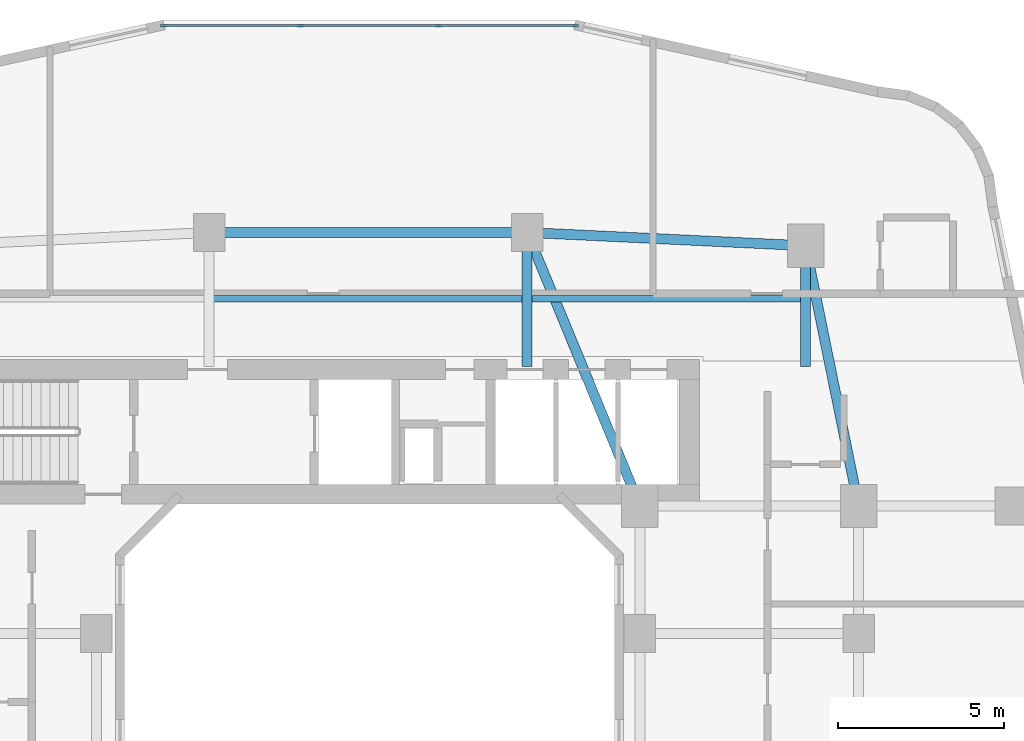
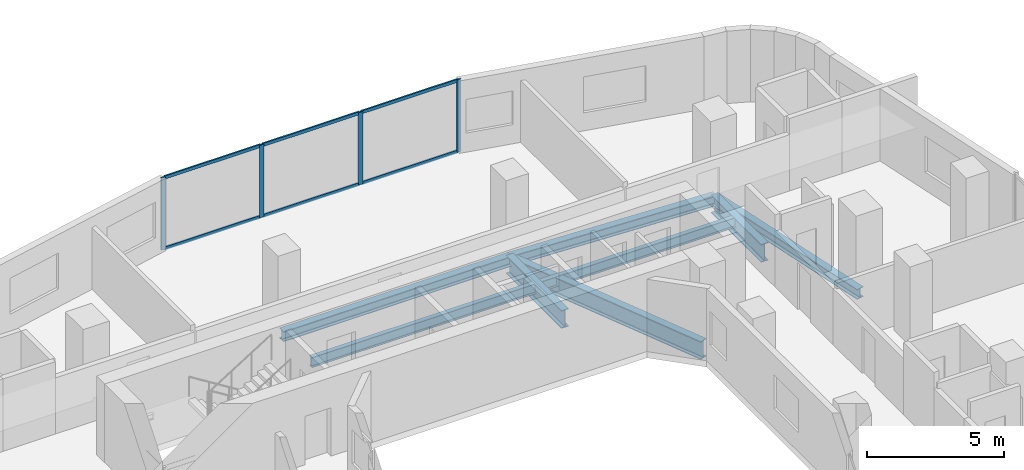
# One storey, part 7 of 26: 10 members, 8 beams, 1 element without a shape of its own.
"""IFC4 building model written with IfcOpenShell, lengths in metres."""

from ifc_helpers import new_model, si_unit, derived_unit, direction, frame, origin, origin_2d, place, context, subcontext, project, spatial, rectangle, i_section, extrude, material, layer, layer_set, material_profile, profile_set, type_object, element, aggregate, save


model = new_model("IFC4")

# Units and contexts
model_context = context("Model", 3, precision=1e-05, world=origin(), true_north=direction((0.0, 1.0)))
body_context = subcontext(model_context, "Body", "Model", "MODEL_VIEW")
ifc_project = project(units=[si_unit("LENGTHUNIT", "METRE"), si_unit("AREAUNIT", "SQUARE_METRE"), si_unit("VOLUMEUNIT", "CUBIC_METRE"), si_unit("PLANEANGLEUNIT", "RADIAN"), si_unit("MASSUNIT", "GRAM", prefix="KILO"), derived_unit("THERMALTRANSMITTANCEUNIT", [(si_unit("POWERUNIT", "WATT"), 1), (si_unit("LENGTHUNIT", "METRE"), -2), (si_unit("THERMODYNAMICTEMPERATUREUNIT", "KELVIN"), -1)])], contexts=[model_context])

# Site, building, storey
site_placement = place(None, origin())
site = spatial("IfcSite", under=ifc_project, at=site_placement, CompositionType="ELEMENT")
building_placement = place(site_placement, origin())
building = spatial("IfcBuilding", under=site, at=building_placement, Name="Kivonza Crest Hotel", CompositionType="ELEMENT")
storey_placement = place(building_placement, frame((0.0, 0.0, 55.5)))
storey = spatial("IfcBuildingStorey", under=building, at=storey_placement, Name="L14", CompositionType="ELEMENT", Elevation=55.5)

# Beams
ifc_material_1 = material(Name="Steel S355", Category="steel")
ifc_material_profile_1 = material_profile(ifc_material_1, i_section(OverallWidth=0.300048828125, OverallDepth=0.449951171875, WebThickness=0.013916015625, FlangeThickness=0.02587890625, FilletRadius=0.027099609375, at=origin_2d()), Name="HEB 450")
ifc_profile_set_1 = profile_set([ifc_material_profile_1], Name="Steel S355")
beam_type_1 = type_object("IfcBeamType", Name="BM-HEB450", PredefinedType="SPANDREL", material=ifc_profile_set_1)
beam_1_placement = place(storey_placement, frame((35.800048828125, 32.35009765625, -0.5048828125), z_axis=(-0.199730733965, 0.979850822273, 0.0), x_axis=(-0.979850822273, -0.199730733965, 0.0)))
element("IfcBeam", 1, at=beam_1_placement, inside=storey, type_object=beam_type_1, Name="Tower T1 L14 perimeter spandrel PNE-NE", PredefinedType="SPANDREL", context=body_context, shape_type="SweptSolid", body=[
    extrude(i_section(OverallWidth=0.300048828125, OverallDepth=0.449951171875, WebThickness=0.013916015625, FlangeThickness=0.02587890625, FilletRadius=0.027099609375, at=origin_2d()), origin(), (0.0, 0.0, 1.0), 8.01123046875),
])
beam_2_placement = place(storey_placement, frame((34.199951171875, 40.199951171875, -0.5048828125), z_axis=(-0.998867283688, 0.047583080799, 0.0), x_axis=(-0.047583080799, -0.998867283688, 0.0)))
element("IfcBeam", 2, at=beam_2_placement, inside=storey, type_object=beam_type_1, Name="Tower T1 L14 perimeter spandrel NE-N2", PredefinedType="SPANDREL", context=body_context, shape_type="SweptSolid", body=[
    extrude(i_section(OverallWidth=0.300048828125, OverallDepth=0.449951171875, WebThickness=0.013916015625, FlangeThickness=0.02587890625, FilletRadius=0.027099609375, at=origin_2d()), origin(), (0.0, 0.0, 1.0), 8.409423828125),
])
beam_3_placement = place(storey_placement, frame((25.800048828125, 40.60009765625, -0.5048828125), z_axis=(-1.0, 0.0, 0.0), x_axis=(0.0, -1.0, 0.0)))
element("IfcBeam", 3, at=beam_3_placement, inside=storey, type_object=beam_type_1, Name="Tower T1 L14 perimeter spandrel N2-N1", PredefinedType="SPANDREL", context=body_context, shape_type="SweptSolid", body=[
    extrude(i_section(OverallWidth=0.300048828125, OverallDepth=0.449951171875, WebThickness=0.013916015625, FlangeThickness=0.02587890625, FilletRadius=0.027099609375, at=origin_2d()), origin(), (0.0, 0.0, 1.0), 9.60009765625),
])
ifc_material_profile_2 = material_profile(ifc_material_1, i_section(OverallWidth=0.300048828125, OverallDepth=0.800048828125, WebThickness=0.017578125, FlangeThickness=0.032958984375, FilletRadius=0.030029296875, at=origin_2d()), Name="HEB 800")
ifc_profile_set_2 = profile_set([ifc_material_profile_2], Name="Steel S355")
beam_type_2 = type_object("IfcBeamType", Name="BM-HEB800", PredefinedType="BEAM", material=ifc_profile_set_2)
beam_4_placement = place(storey_placement, frame((25.800048828125, 40.60009765625, -0.679931640625), z_axis=(0.381022260404, -0.924565864109, 0.0), x_axis=(0.924565864109, 0.381022260404, 0.0)))
element("IfcBeam", 4, at=beam_4_placement, inside=storey, type_object=beam_type_2, Name="Tower T1 L14 primary girder N1-TNE", PredefinedType="BEAM", context=body_context, shape_type="SweptSolid", body=[
    extrude(i_section(OverallWidth=0.300048828125, OverallDepth=0.800048828125, WebThickness=0.017578125, FlangeThickness=0.032958984375, FilletRadius=0.030029296875, at=origin_2d()), origin(), (0.0, 0.0, 1.0), 8.923095703125),
])
beam_5_placement = place(storey_placement, frame((25.800048828125, 40.60009765625, -0.679931640625), z_axis=(0.0, -1.0, 0.0), x_axis=(1.0, 0.0, 0.0)))
element("IfcBeam", 5, at=beam_5_placement, inside=storey, type_object=beam_type_2, Name="Tower T1 L14 radial core girder RN2", PredefinedType="BEAM", context=body_context, shape_type="SweptSolid", body=[
    extrude(i_section(OverallWidth=0.300048828125, OverallDepth=0.800048828125, WebThickness=0.017578125, FlangeThickness=0.032958984375, FilletRadius=0.030029296875, at=origin_2d()), origin(), (0.0, 0.0, 1.0), 4.050048828125),
])
beam_6_placement = place(storey_placement, frame((34.199951171875, 40.199951171875, -0.679931640625), z_axis=(0.0, -1.0, 0.0), x_axis=(1.0, 0.0, 0.0)))
element("IfcBeam", 6, at=beam_6_placement, inside=storey, type_object=beam_type_2, Name="Tower T1 L14 radial core girder RNE", PredefinedType="BEAM", context=body_context, shape_type="SweptSolid", body=[
    extrude(i_section(OverallWidth=0.300048828125, OverallDepth=0.800048828125, WebThickness=0.017578125, FlangeThickness=0.032958984375, FilletRadius=0.030029296875, at=origin_2d()), origin(), (0.0, 0.0, 1.0), 3.64990234375),
])
ifc_material_profile_3 = material_profile(ifc_material_1, i_section(OverallWidth=0.18994140625, OverallDepth=0.449951171875, WebThickness=0.009521484375, FlangeThickness=0.0146484375, FilletRadius=0.02099609375, at=origin_2d()), Name="IPE 450")
ifc_profile_set_3 = profile_set([ifc_material_profile_3], Name="Steel S355")
beam_type_3 = type_object("IfcBeamType", Name="BM-IPE450", PredefinedType="JOIST", material=ifc_profile_set_3)
beam_7_placement = place(storey_placement, frame((16.280029296875, 38.60009765625, -0.5048828125), z_axis=(1.0, 0.0, 0.0), x_axis=(0.0, 1.0, 0.0)))
element("IfcBeam", 7, at=beam_7_placement, inside=storey, type_object=beam_type_3, Name="Tower T1 L14 North-Mid floor joist", PredefinedType="JOIST", context=body_context, shape_type="SweptSolid", body=[
    extrude(i_section(OverallWidth=0.18994140625, OverallDepth=0.449951171875, WebThickness=0.009521484375, FlangeThickness=0.0146484375, FilletRadius=0.02099609375, at=origin_2d()), origin(), (0.0, 0.0, 1.0), 9.43994140625),
])
beam_8_placement = place(storey_placement, frame((25.8798828125, 38.60009765625, -0.5048828125), z_axis=(1.0, 0.0, 0.0), x_axis=(0.0, 1.0, 0.0)))
element("IfcBeam", 8, at=beam_8_placement, inside=storey, type_object=beam_type_3, Name="Tower T1 L14 North-East floor joist", PredefinedType="JOIST", context=body_context, shape_type="SweptSolid", body=[
    extrude(i_section(OverallWidth=0.18994140625, OverallDepth=0.449951171875, WebThickness=0.009521484375, FlangeThickness=0.0146484375, FilletRadius=0.02099609375, at=origin_2d()), origin(), (0.0, 0.0, 1.0), 8.240234375),
])

# Curtain wall, members
ifc_material_2 = material(Name="Anodised bronze aluminium and low-E double glazing", Category="aluminium")
ifc_layer = layer(ifc_material_2, 0.179931640625)
ifc_layer_set = layer_set([ifc_layer], Name="Anodised bronze aluminium and low-E double glazing")
curtain_wall_type = type_object("IfcCurtainWallType", Name="CW-SYS-2", PredefinedType="NOTDEFINED", material=ifc_layer_set)
curtain_wall_placement = place(storey_placement, origin())
curtain_wall = element("IfcCurtainWall", 9, at=curtain_wall_placement, inside=storey, type_object=curtain_wall_type, Name="L14 unitised curtain wall CW-T1-L14-26", PredefinedType="NOTDEFINED")
ifc_material_3 = material(Name="Anodised bronze aluminium", Category="aluminium")
ifc_material_profile_4 = material_profile(ifc_material_3, rectangle(XDim=0.06494140625, YDim=0.179931640625, at=origin_2d()), Name="CW-M 65x180")
ifc_profile_set_4 = profile_set([ifc_material_profile_4], Name="Anodised bronze aluminium")
member_type_1 = type_object("IfcMemberType", Name="CW-MUL-65x180", PredefinedType="MULLION", material=ifc_profile_set_4)
member_1_placement = place(storey_placement, frame((27.255615234375, 46.840087890625, 0.0), z_axis=(0.0, 0.0, 1.0), x_axis=(0.0, -1.0, 0.0)))
member_1 = element("IfcMember", 10, at=member_1_placement, type_object=member_type_1, Name="CW-2 mullion 1", PredefinedType="MULLION", context=body_context, shape_type="SweptSolid", body=[
    extrude(rectangle(XDim=0.06494140625, YDim=0.179931640625, at=origin_2d()), origin(), (0.0, 0.0, 1.0), 3.219970703125),
])
member_2_placement = place(storey_placement, frame((23.12255859375, 46.840087890625, 0.0), z_axis=(0.0, 0.0, 1.0), x_axis=(0.0, -1.0, 0.0)))
member_2 = element("IfcMember", 11, at=member_2_placement, type_object=member_type_1, Name="CW-2 mullion 2", PredefinedType="MULLION", context=body_context, shape_type="SweptSolid", body=[
    extrude(rectangle(XDim=0.06494140625, YDim=0.179931640625, at=origin_2d()), origin(), (0.0, 0.0, 1.0), 3.219970703125),
])
member_3_placement = place(storey_placement, frame((18.957275390625, 46.840087890625, 0.0), z_axis=(0.0, 0.0, 1.0), x_axis=(0.0, -1.0, 0.0)))
member_3 = element("IfcMember", 12, at=member_3_placement, type_object=member_type_1, Name="CW-2 mullion 3", PredefinedType="MULLION", context=body_context, shape_type="SweptSolid", body=[
    extrude(rectangle(XDim=0.06494140625, YDim=0.179931640625, at=origin_2d()), origin(), (0.0, 0.0, 1.0), 3.219970703125),
])
member_4_placement = place(storey_placement, frame((14.824462890625, 46.840087890625, 0.0), z_axis=(0.0, 0.0, 1.0), x_axis=(0.0, -1.0, 0.0)))
member_4 = element("IfcMember", 13, at=member_4_placement, type_object=member_type_1, Name="CW-2 mullion 4", PredefinedType="MULLION", context=body_context, shape_type="SweptSolid", body=[
    extrude(rectangle(XDim=0.06494140625, YDim=0.179931640625, at=origin_2d()), origin(), (0.0, 0.0, 1.0), 3.219970703125),
])
ifc_material_profile_5 = material_profile(ifc_material_3, rectangle(XDim=0.06494140625, YDim=0.139892578125, at=origin_2d()), Name="CW-T 65x140")
ifc_profile_set_5 = profile_set([ifc_material_profile_5], Name="Anodised bronze aluminium")
member_type_2 = type_object("IfcMemberType", Name="CW-TRN-65x140", PredefinedType="USERDEFINED", material=ifc_profile_set_5)
member_5_placement = place(storey_placement, frame((27.222900390625, 46.840087890625, 0.032470703125), z_axis=(-1.0, 0.0, 0.0), x_axis=(0.0, -1.0, 0.0)))
member_5 = element("IfcMember", 14, at=member_5_placement, type_object=member_type_2, Name="CW-2 transom 1.1", ObjectType="TRANSOM", PredefinedType="USERDEFINED", context=body_context, shape_type="SweptSolid", body=[
    extrude(rectangle(XDim=0.06494140625, YDim=0.139892578125, at=origin_2d()), origin(), (0.0, 0.0, 1.0), 4.067626953125),
])
member_6_placement = place(storey_placement, frame((27.222900390625, 46.840087890625, 3.1875), z_axis=(-1.0, 0.0, 0.0), x_axis=(0.0, -1.0, 0.0)))
member_6 = element("IfcMember", 15, at=member_6_placement, type_object=member_type_2, Name="CW-2 transom 1.2", ObjectType="TRANSOM", PredefinedType="USERDEFINED", context=body_context, shape_type="SweptSolid", body=[
    extrude(rectangle(XDim=0.06494140625, YDim=0.139892578125, at=origin_2d()), origin(), (0.0, 0.0, 1.0), 4.067626953125),
])
member_7_placement = place(storey_placement, frame((23.090087890625, 46.840087890625, 0.032470703125), z_axis=(-1.0, 0.0, 0.0), x_axis=(0.0, -1.0, 0.0)))
member_7 = element("IfcMember", 16, at=member_7_placement, type_object=member_type_2, Name="CW-2 transom 2.1", ObjectType="TRANSOM", PredefinedType="USERDEFINED", context=body_context, shape_type="SweptSolid", body=[
    extrude(rectangle(XDim=0.06494140625, YDim=0.139892578125, at=origin_2d()), origin(), (0.0, 0.0, 1.0), 4.100341796875),
])
member_8_placement = place(storey_placement, frame((23.090087890625, 46.840087890625, 3.1875), z_axis=(-1.0, 0.0, 0.0), x_axis=(0.0, -1.0, 0.0)))
member_8 = element("IfcMember", 17, at=member_8_placement, type_object=member_type_2, Name="CW-2 transom 2.2", ObjectType="TRANSOM", PredefinedType="USERDEFINED", context=body_context, shape_type="SweptSolid", body=[
    extrude(rectangle(XDim=0.06494140625, YDim=0.139892578125, at=origin_2d()), origin(), (0.0, 0.0, 1.0), 4.100341796875),
])
member_9_placement = place(storey_placement, frame((18.9248046875, 46.840087890625, 0.032470703125), z_axis=(-1.0, 0.0, 0.0), x_axis=(0.0, -1.0, 0.0)))
member_9 = element("IfcMember", 18, at=member_9_placement, type_object=member_type_2, Name="CW-2 transom 3.1", ObjectType="TRANSOM", PredefinedType="USERDEFINED", context=body_context, shape_type="SweptSolid", body=[
    extrude(rectangle(XDim=0.06494140625, YDim=0.139892578125, at=origin_2d()), origin(), (0.0, 0.0, 1.0), 4.06787109375),
])
member_10_placement = place(storey_placement, frame((18.9248046875, 46.840087890625, 3.1875), z_axis=(-1.0, 0.0, 0.0), x_axis=(0.0, -1.0, 0.0)))
member_10 = element("IfcMember", 19, at=member_10_placement, type_object=member_type_2, Name="CW-2 transom 3.2", ObjectType="TRANSOM", PredefinedType="USERDEFINED", context=body_context, shape_type="SweptSolid", body=[
    extrude(rectangle(XDim=0.06494140625, YDim=0.139892578125, at=origin_2d()), origin(), (0.0, 0.0, 1.0), 4.06787109375),
])
aggregate(curtain_wall, [member_1, member_2, member_3, member_4, member_5, member_6, member_7, member_8, member_9, member_10])

save(model, "model.ifc")
